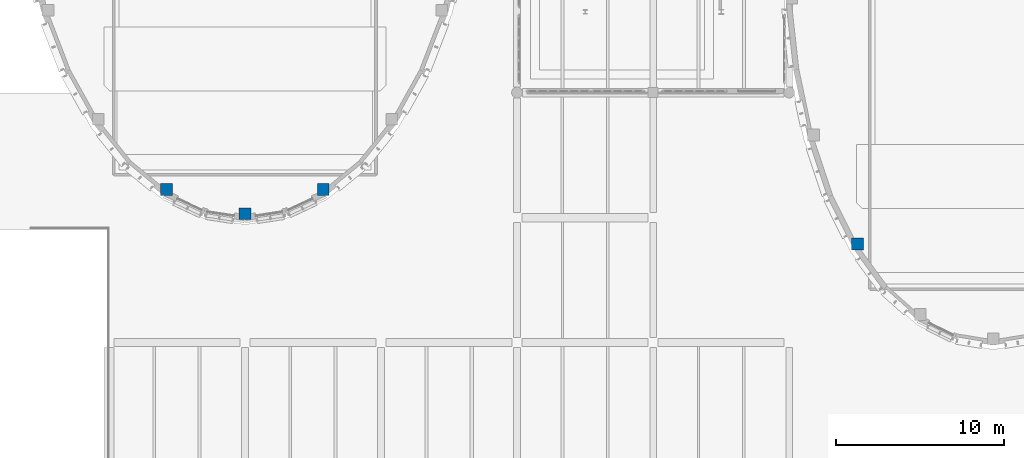
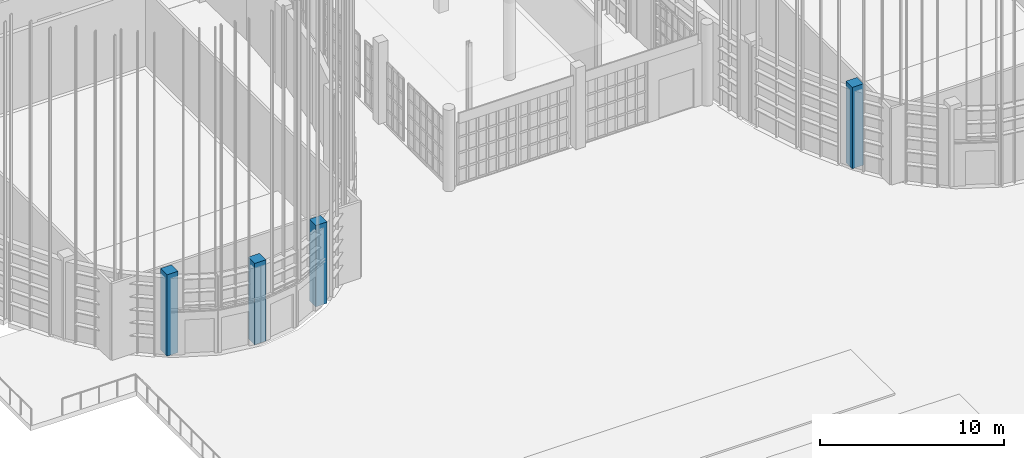
# One storey, part 4 of 372: 4 columns.
"""IFC4 building model written with IfcOpenShell, lengths in metres."""

import ifcopenshell
import ifcopenshell.guid

model = None  # the IFC model being written
_history = None  # IfcOwnerHistory: only IFC2X3 demands one
_inside = {}  # id of a spatial element -> (the spatial element, [elements in it])
_under = {}  # id of a project, library or spatial element -> (it, [spatial elements below it])
_declared = {}  # id of a project -> (the project, [libraries it declares])
_typed = {}  # id of a type object -> (the type object, [elements of that type])
_made_of = {}  # id of a material, layer set ... -> (it, [elements and type objects made of it])


def new_model(schema):
    """Start an empty IFC model of exactly this schema.

    Asked for "IFC4X3", IfcOpenShell would pick the latest addendum, in which some entities
    have other attributes; the version numbers below select the first issue.
    IFC2X3 requires an IfcOwnerHistory on every rooted entity: one is made here for all.
    """
    global model, _history
    if schema == "IFC4X3":
        model = ifcopenshell.file(schema_version=(4, 3, 0, 0))
    else:
        model = ifcopenshell.file(schema=schema)
    _inside.clear()
    _under.clear()
    _declared.clear()
    _typed.clear()
    _made_of.clear()
    _history = None
    if model.schema == "IFC2X3":
        org = make("IfcOrganization", Name="unknown")
        user = make(
            "IfcPersonAndOrganization",
            ThePerson=make("IfcPerson", FamilyName="unknown"),
            TheOrganization=org,
        )
        app = make(
            "IfcApplication",
            ApplicationDeveloper=org,
            Version="unknown",
            ApplicationFullName="unknown",
            ApplicationIdentifier="unknown",
        )
        _history = make(
            "IfcOwnerHistory",
            OwningUser=user,
            OwningApplication=app,
            ChangeAction="ADDED",
            CreationDate=0,
        )
    return model


def make(cls, **values):
    """One entity of the class cls with the attributes given. An attribute that is None is left unset."""
    return model.create_entity(
        cls, **{name: value for name, value in values.items() if value is not None}
    )


def rooted(cls, **values):
    """An entity with a GlobalId (a new one), such as an element, a storey or a relation."""
    return make(cls, GlobalId=ifcopenshell.guid.new(), OwnerHistory=_history, **values)


def si_unit(unit_type, name, prefix=None):
    """IfcSIUnit, for example si_unit("LENGTHUNIT", "METRE", prefix="MILLI")."""
    return make("IfcSIUnit", UnitType=unit_type, Prefix=prefix, Name=name)


def assignment(units):
    """IfcUnitAssignment: the units of a project."""
    return None if units is None else make("IfcUnitAssignment", Units=units)


def point(xyz):
    """IfcCartesianPoint."""
    return None if xyz is None else make("IfcCartesianPoint", Coordinates=xyz)


def direction(xyz):
    """IfcDirection."""
    return None if xyz is None else make("IfcDirection", DirectionRatios=xyz)


def frame(location, z_axis=None, x_axis=None):
    """IfcAxis2Placement3D, a coordinate frame: its origin and axes. An axis left out is left unset."""
    return make(
        "IfcAxis2Placement3D",
        Location=point(location),
        Axis=direction(z_axis),
        RefDirection=direction(x_axis),
    )


def frame_2d(location, x_axis=None):
    """IfcAxis2Placement2D, a coordinate frame in the plane: its origin and x axis."""
    return make(
        "IfcAxis2Placement2D", Location=point(location), RefDirection=direction(x_axis)
    )


def origin():
    """The frame at (0, 0, 0) with its axes left unset."""
    return frame((0.0, 0.0, 0.0))


def origin_2d():
    """The frame at (0, 0) in the plane with its x axis left unset."""
    return frame_2d((0.0, 0.0))


def place(relative_to, where):
    """IfcLocalPlacement: puts the frame where relative to a parent placement (None: the world)."""
    return make(
        "IfcLocalPlacement", PlacementRelTo=relative_to, RelativePlacement=where
    )


def context(
    kind, dimensions, precision=None, world=None, true_north=None, identifier=None
):
    """IfcGeometricRepresentationContext, for example the 3D "Model" context."""
    return make(
        "IfcGeometricRepresentationContext",
        ContextIdentifier=identifier,
        ContextType=kind,
        CoordinateSpaceDimension=dimensions,
        Precision=precision,
        WorldCoordinateSystem=world,
        TrueNorth=true_north,
    )


def subcontext(parent, identifier, kind, view, scale=None):
    """IfcGeometricRepresentationSubContext, for example "Body" below "Model"."""
    return make(
        "IfcGeometricRepresentationSubContext",
        ContextIdentifier=identifier,
        ContextType=kind,
        ParentContext=parent,
        TargetScale=scale,
        TargetView=view,
    )


def project(units=None, contexts=None):
    """IfcProject with its units and contexts."""
    return rooted(
        "IfcProject",
        Name="project",
        RepresentationContexts=contexts,
        UnitsInContext=assignment(units),
    )


def spatial(cls, under=None, at=None, **own):
    """A site, building, storey or space (cls), placed at a placement, below another one or the project."""
    s = rooted(cls, ObjectPlacement=at, **own)
    if under is not None:
        _under.setdefault(under.id(), (under, []))[1].append(s)
    return s


def profile(cls, at=None, kind="AREA", **sizes):
    """A parametric profile (cls). Its sizes go by their IFC names, for example OverallWidth=200.0."""
    return make(cls, ProfileType=kind, Position=at, **sizes)


def rectangle(**sizes):
    """IfcRectangleProfileDef."""
    return profile("IfcRectangleProfileDef", **sizes)


def extrude(swept, where, along, depth):
    """IfcExtrudedAreaSolid: the profile swept, set in the frame where, extruded along a direction by depth."""
    return make(
        "IfcExtrudedAreaSolid",
        SweptArea=swept,
        Position=where,
        ExtrudedDirection=direction(along),
        Depth=depth,
    )


def shape(context_of_items, identifier, shape_type, items):
    """IfcShapeRepresentation: the items that make up one representation, for example the "Body"."""
    return make(
        "IfcShapeRepresentation",
        ContextOfItems=context_of_items,
        RepresentationIdentifier=identifier,
        RepresentationType=shape_type,
        Items=items,
    )


def material(Name=None, Category=None):
    """IfcMaterial."""
    return make("IfcMaterial", Name=Name, Category=Category)


def material_profile(
    of_material, cross_section, Name=None, Category=None, Priority=None
):
    """IfcMaterialProfile: a cross section and its material."""
    return make(
        "IfcMaterialProfile",
        Name=Name,
        Material=of_material,
        Profile=cross_section,
        Priority=Priority,
        Category=Category,
    )


def profile_set(profiles, Name=None, composite=None):
    """IfcMaterialProfileSet."""
    return make(
        "IfcMaterialProfileSet",
        Name=Name,
        MaterialProfiles=profiles,
        CompositeProfile=composite,
    )


def made_of(thing, what):
    """Note that an element or type object is made of a material, layer set ...; save() writes the relation."""
    if what is not None:
        _made_of.setdefault(what.id(), (what, []))[1].append(thing)
    return thing


def type_object(cls, material=None, **own):
    """A type object (cls), such as IfcWallType, which elements share."""
    return made_of(rooted(cls, **own), material)


def element(
    cls,
    number,
    at=None,
    inside=None,
    cuts=None,
    type_object=None,
    material=None,
    context=None,
    identifier="Body",
    shape_type=None,
    held_by="IfcProductDefinitionShape",
    body=None,
    shapes=None,
    **own,
):
    """One element of the class cls, such as IfcWall. Its Tag is "e" and its number.

    at: its placement. inside: the storey or other place that contains it. cuts: it is an
    opening in that element (IfcRelVoidsElement). A single representation is given by context,
    identifier, shape_type and body (its items); several are given by shapes. held_by: the class
    of the entity that holds the representations. save() writes the other relations.
    """
    e = rooted(cls, Tag="e%d" % number, ObjectPlacement=at, **own)
    if body is not None:
        shapes = [shape(context, identifier, shape_type, body)]
    if shapes is not None:
        e.Representation = make(held_by, Representations=shapes)
    if inside is not None:
        _inside.setdefault(inside.id(), (inside, []))[1].append(e)
    if cuts is not None:
        rooted(
            "IfcRelVoidsElement", RelatingBuildingElement=cuts, RelatedOpeningElement=e
        )
    if type_object is not None:
        _typed.setdefault(type_object.id(), (type_object, []))[1].append(e)
    return made_of(e, material)


def aggregate(whole, parts):
    """IfcRelAggregates: a whole, such as a stair, and the parts it consists of."""
    return rooted("IfcRelAggregates", RelatingObject=whole, RelatedObjects=parts)


def save(model, path):
    """Write the relations noted so far, then the file.

    IfcRelAggregates (storeys below a building ...), IfcRelContainedInSpatialStructure (elements
    in a storey), IfcRelDefinesByType, IfcRelAssociatesMaterial and IfcRelDeclares: one each for
    every whole, place, type object, material and project.
    """
    for whole, parts in _under.values():
        aggregate(whole, parts)
    for where, things in _inside.values():
        rooted(
            "IfcRelContainedInSpatialStructure",
            RelatedElements=things,
            RelatingStructure=where,
        )
    for kind, things in _typed.values():
        rooted("IfcRelDefinesByType", RelatedObjects=things, RelatingType=kind)
    for what, things in _made_of.values():
        rooted("IfcRelAssociatesMaterial", RelatedObjects=things, RelatingMaterial=what)
    for by, libraries in _declared.values():
        rooted("IfcRelDeclares", RelatingContext=by, RelatedDefinitions=libraries)
    model.write(path)


model = new_model("IFC4")

# Units and contexts
model_context = context("Model", 3, precision=1e-05, world=origin(), true_north=direction((0.0, 1.0)))
body_context = subcontext(model_context, "Body", "Model", "MODEL_VIEW")
ifc_project = project(units=[si_unit("LENGTHUNIT", "METRE"), si_unit("AREAUNIT", "SQUARE_METRE"), si_unit("VOLUMEUNIT", "CUBIC_METRE"), si_unit("PLANEANGLEUNIT", "RADIAN"), si_unit("MASSUNIT", "GRAM", prefix="KILO")], contexts=[model_context])

# Site, building, storey
site_placement = place(None, origin())
site = spatial("IfcSite", under=ifc_project, at=site_placement, CompositionType="ELEMENT")
building_placement = place(site_placement, origin())
building = spatial("IfcBuilding", under=site, at=building_placement, Name="Kaelora Sail Theatre", CompositionType="ELEMENT")
storey_placement = place(building_placement, origin())
storey = spatial("IfcBuildingStorey", under=building, at=storey_placement, Name="L00", CompositionType="ELEMENT", Elevation=0.0)

# Columns
ifc_material = material(Name="Concrete C45/55", Category="concrete")
ifc_material_profile = material_profile(ifc_material, rectangle(XDim=0.699951171875, YDim=0.699951171875, at=origin_2d()), Name="RC-COL 700x700")
ifc_profile_set = profile_set([ifc_material_profile], Name="Concrete C45/55")
column_type = type_object("IfcColumnType", Name="STR-COL-C-RC700", PredefinedType="COLUMN", material=ifc_profile_set)
for number, where, z_axis, x_axis, name in (
    (1, (95.26953125, 32.9267578125, 0.0), (0.0, 0.0, 1.0), (1.0, 0.0, 0.0), "Studio Theatre drum column K08 (L00)"),
    (2, (90.60009765625, 31.47998046875, 0.0), (0.0, 0.0, 1.0), (1.0, 0.0, 0.0), "Studio Theatre drum column K10 (L00)"),
    (3, (85.930419921875, 32.9267578125, 0.0), (0.0, 0.0, 1.0), (1.0, 0.0, 0.0), "Studio Theatre drum column K12 (L00)"),
    (4, (127.06640625, 29.6826171875, 0.0), (0.0, 0.0, 1.0), (1.0, 0.0, 0.0), "Black-Box Theatre drum column K14 (L00)"),
):
    element("IfcColumn", number, at=place(storey_placement, frame(where, z_axis=z_axis, x_axis=x_axis)), inside=storey, type_object=column_type, Name=name, PredefinedType="COLUMN", context=body_context, shape_type="SweptSolid", body=[
        extrude(rectangle(XDim=0.699951171875, YDim=0.699951171875, at=origin_2d()), origin(), (0.0, 0.0, 1.0), 5.39990234375),
    ])

save(model, "model.ifc")
